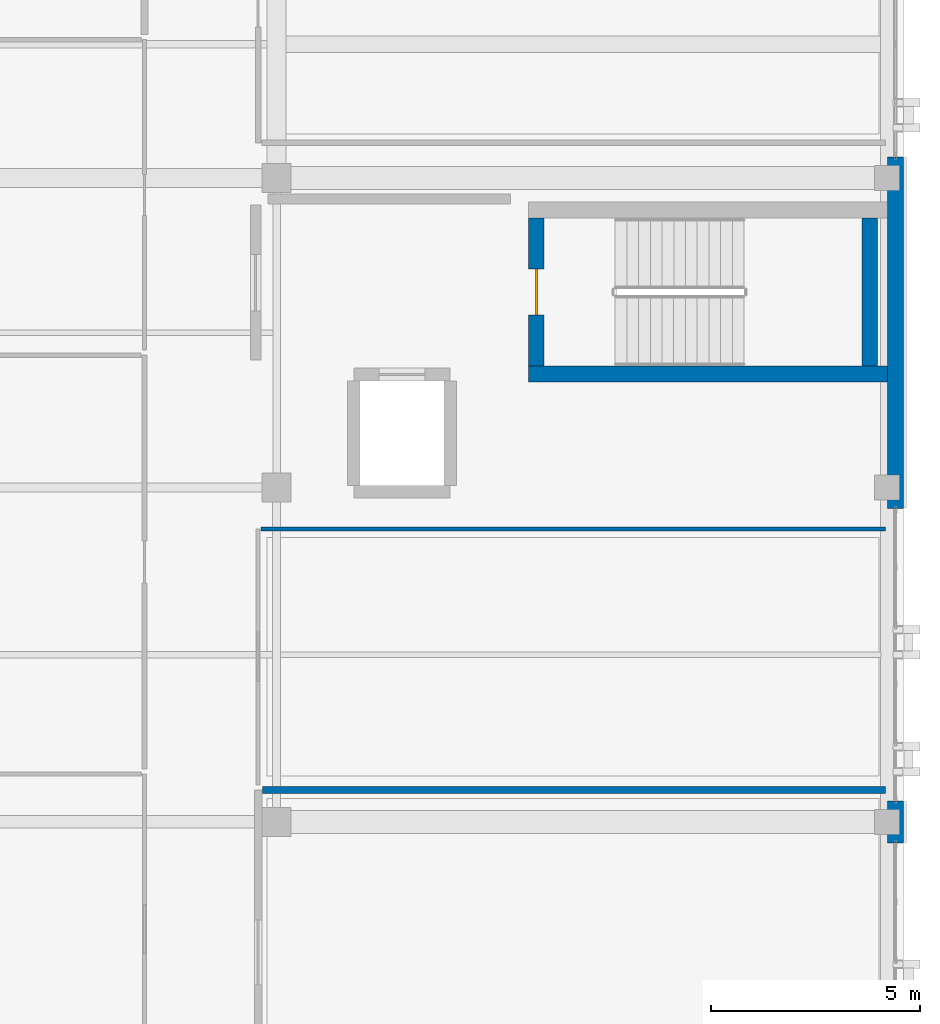
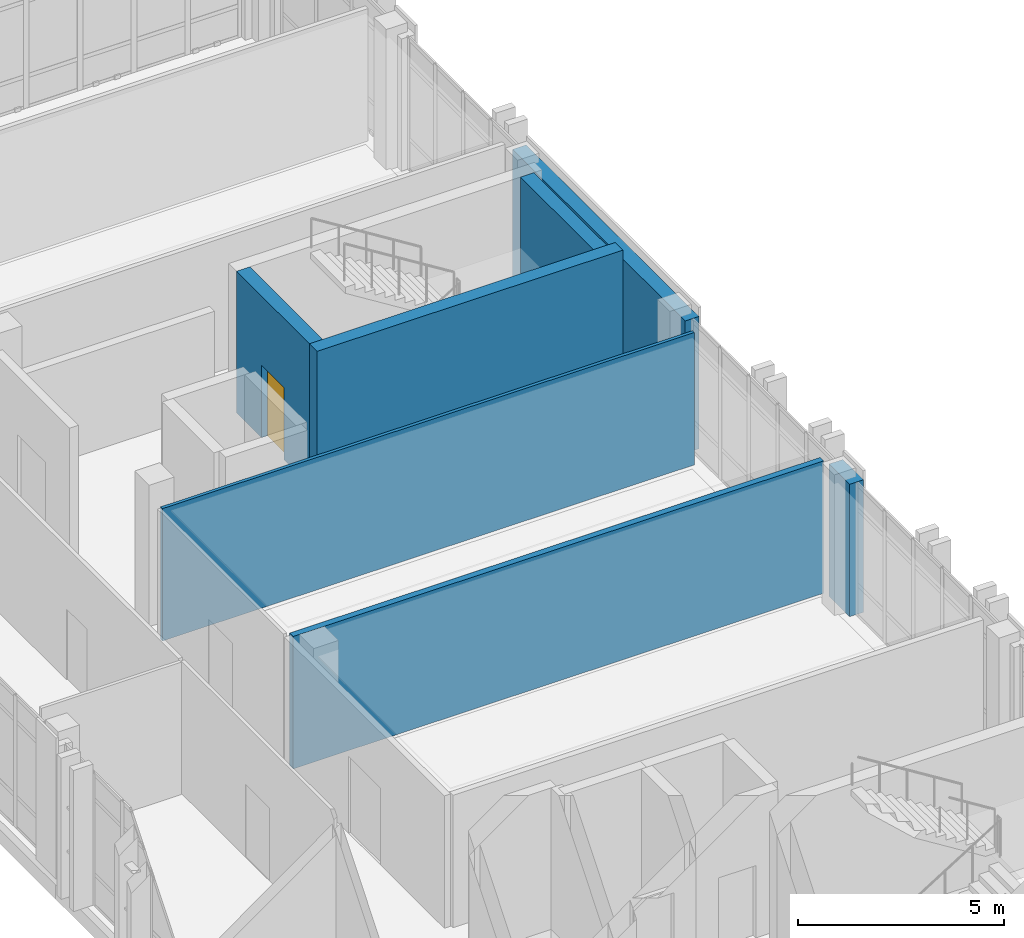
# One storey, part 69 of 90: 7 walls, 1 door, 1 opening.
"""IFC4 building model written with IfcOpenShell, lengths in metres."""

from ifc_helpers import new_model, si_unit, direction, frame, frame_2d, origin, place, context, subcontext, project, spatial, rectangle, extrude, material, layer, layer_set, type_object, element, fill, save


model = new_model("IFC4")

# Units and contexts
model_context = context("Model", 3, precision=1e-05, world=origin(), true_north=direction((0.0, 1.0)))
body_context = subcontext(model_context, "Body", "Model", "MODEL_VIEW")
ifc_project = project(units=[si_unit("LENGTHUNIT", "METRE"), si_unit("AREAUNIT", "SQUARE_METRE"), si_unit("VOLUMEUNIT", "CUBIC_METRE"), si_unit("PLANEANGLEUNIT", "RADIAN"), si_unit("MASSUNIT", "GRAM", prefix="KILO")], contexts=[model_context])

# Site, building, storey
site_placement = place(None, origin())
site = spatial("IfcSite", under=ifc_project, at=site_placement, CompositionType="ELEMENT")
building_placement = place(site_placement, origin())
building = spatial("IfcBuilding", under=site, at=building_placement, Name="Qalavern Law Courts", CompositionType="ELEMENT")
storey_placement = place(building_placement, frame((0.0, 0.0, 22.800048828125)))
storey = spatial("IfcBuildingStorey", under=building, at=storey_placement, Name="L05", CompositionType="ELEMENT", Elevation=22.800048828125)

# Walls
ifc_material_1 = material(Name="Concrete C40/50", Category="concrete")
ifc_layer_1 = layer(ifc_material_1, 0.385009765625)
ifc_layer_set_1 = layer_set([ifc_layer_1], Name="Concrete C40/50")
wall_type_1 = type_object("IfcWallType", Name="ENV-EW-385", PredefinedType="SOLIDWALL", material=ifc_layer_set_1)
wall_1_placement = place(storey_placement, frame((106.607421875, 56.89990234375, 0.0), z_axis=(0.0, 0.0, 1.0), x_axis=(0.0, 1.0, 0.0)))
element("IfcWall", 1, at=wall_1_placement, inside=storey, type_object=wall_type_1, Name="V4 exterior pier wall L05 east 3", PredefinedType="SOLIDWALL", context=body_context, shape_type="SweptSolid", body=[
    extrude(rectangle(XDim=1.0, YDim=0.385009765625, at=frame_2d((0.5, 0.0))), origin(), (0.0, 0.0, 1.0), 3.929931640625),
])
wall_2_placement = place(storey_placement, frame((106.607421875, 64.89990234375, 0.0), z_axis=(0.0, 0.0, 1.0), x_axis=(0.0, 1.0, 0.0)))
element("IfcWall", 2, at=wall_2_placement, inside=storey, type_object=wall_type_1, Name="V4 exterior pier wall L05 east 4", PredefinedType="SOLIDWALL", context=body_context, shape_type="SweptSolid", body=[
    extrude(rectangle(XDim=8.400146484375, YDim=0.385009765625, at=frame_2d((4.2001953125, 0.0))), origin(), (0.0, 0.0, 1.0), 3.929931640625),
])
ifc_material_2 = material(Name="Concrete C45/55", Category="concrete")
ifc_layer_2 = layer(ifc_material_2, 0.375)
ifc_layer_set_2 = layer_set([ifc_layer_2], Name="Concrete C45/55")
wall_type_2 = type_object("IfcWallType", Name="INT-CW-375", PredefinedType="SHEAR", material=ifc_layer_set_2)
wall_3_placement = place(storey_placement, frame((97.824951171875, 68.112548828125, 0.0), z_axis=(0.0, 0.0, 1.0), x_axis=(1.0, 0.0, 0.0)))
element("IfcWall", 3, at=wall_3_placement, inside=storey, type_object=wall_type_2, Name="Core K1B stair shear wall L05 south", PredefinedType="SHEAR", context=body_context, shape_type="SweptSolid", body=[
    extrude(rectangle(XDim=8.587158203125, YDim=0.375, at=frame_2d((4.29345703125, 0.0))), origin(), (0.0, 0.0, 1.0), 4.199951171875),
])
wall_4_placement = place(storey_placement, frame((105.987548828125, 68.300048828125, 0.0), z_axis=(0.0, 0.0, 1.0), x_axis=(0.0, 1.0, 0.0)))
element("IfcWall", 4, at=wall_4_placement, inside=storey, type_object=wall_type_2, Name="Core K1B stair shear wall L05 east", PredefinedType="SHEAR", context=body_context, shape_type="SweptSolid", body=[
    extrude(rectangle(XDim=3.550048828125, YDim=0.375, at=frame_2d((1.77490234375, 0.0))), origin(), (0.0, 0.0, 1.0), 4.199951171875),
])

# Wall, opening, door
wall_5_placement = place(storey_placement, frame((98.012451171875, 71.85009765625, 0.0), z_axis=(0.0, 0.0, 1.0), x_axis=(0.0, -1.0, 0.0)))
wall_5 = element("IfcWall", 5, at=wall_5_placement, inside=storey, type_object=wall_type_2, Name="Core K1B stair shear wall L05 west", PredefinedType="SHEAR", context=body_context, shape_type="SweptSolid", body=[
    extrude(rectangle(XDim=3.550048828125, YDim=0.375, at=frame_2d((1.77490234375, 0.0))), origin(), (0.0, 0.0, 1.0), 4.199951171875),
])
opening_placement = place(wall_5_placement, frame((1.22509765625, 0.0, 0.0)))
opening = element("IfcOpeningElement", 6, at=opening_placement, cuts=wall_5, Name="Opening L05-D039", PredefinedType="OPENING", context=body_context, shape_type="SweptSolid", body=[
    extrude(rectangle(XDim=1.10009765625, YDim=2.14990234375, at=frame_2d((0.550048828125, 1.074951171875))), frame((0.0, 0.202392578125, 0.0), z_axis=(0.0, -1.0, 0.0), x_axis=(1.0, 0.0, 0.0)), (0.0, 0.0, 1.0), 0.40478515625),
])
ifc_material_3 = material(Name="Steel fire-rated stair enclosure door", Category="steel")
door_type = type_object("IfcDoorType", Name="INT-FD-1100x2150", OperationType="NOTDEFINED", PredefinedType="DOOR", material=ifc_material_3)
door_placement = place(opening_placement, frame((1.10009765625, 0.0, 0.0), z_axis=(0.0, 0.0, 1.0), x_axis=(-1.0, 0.0, 0.0)))
door = element("IfcDoor", 7, at=door_placement, inside=storey, type_object=door_type, Name="Stair K1B fire door L05", OperationType="SINGLE_SWING_RIGHT", OverallHeight=2.14990234375, OverallWidth=1.10009765625, PredefinedType="DOOR", context=body_context, shape_type="SweptSolid", body=[
    extrude(rectangle(XDim=1.10009765625, YDim=2.14990234375, at=frame_2d((0.550048828125, 1.074951171875))), frame((0.0, 0.02490234375, 0.0), z_axis=(0.0, -1.0, 0.0), x_axis=(1.0, 0.0, 0.0)), (0.0, 0.0, 1.0), 0.050048828125),
])
fill(opening, door)

# Walls
ifc_material_4 = material(Name="Gypsum shaft/chase partition")
ifc_layer_3 = layer(ifc_material_4, 0.092041015625)
ifc_layer_set_3 = layer_set([ifc_layer_3], Name="Gypsum shaft/chase partition")
wall_type_3 = type_object("IfcWallType", Name="INT-PW-092", PredefinedType="PARTITIONING", material=ifc_layer_set_3)
wall_6_placement = place(storey_placement, frame((91.426025390625, 64.409912109375, 0.0), z_axis=(0.0, 0.0, 1.0), x_axis=(1.0, 0.0, 0.0)))
element("IfcWall", 8, at=wall_6_placement, inside=storey, type_object=wall_type_3, Name="Civil Courtroom cross partition L05 north", PredefinedType="PARTITIONING", context=body_context, shape_type="SweptSolid", body=[
    extrude(rectangle(XDim=14.93408203125, YDim=0.092041015625, at=frame_2d((7.467041015625, 0.0))), origin(), (0.0, 0.0, 1.0), 3.929931640625),
])
ifc_material_5 = material(Name="Gypsum acoustic stud partition")
ifc_layer_4 = layer(ifc_material_5, 0.174072265625)
ifc_layer_set_4 = layer_set([ifc_layer_4], Name="Gypsum acoustic stud partition")
wall_type_4 = type_object("IfcWallType", Name="INT-PW-174", PredefinedType="PARTITIONING", material=ifc_layer_set_4)
wall_7_placement = place(storey_placement, frame((91.467041015625, 58.1650390625, 0.0), z_axis=(0.0, 0.0, 1.0), x_axis=(1.0, 0.0, 0.0)))
element("IfcWall", 9, at=wall_7_placement, inside=storey, type_object=wall_type_4, Name="Appellate Courtroom cross partition L05 north", PredefinedType="PARTITIONING", context=body_context, shape_type="SweptSolid", body=[
    extrude(rectangle(XDim=14.89306640625, YDim=0.174072265625, at=frame_2d((7.446533203125, 0.0))), origin(), (0.0, 0.0, 1.0), 3.929931640625),
])

save(model, "model.ifc")
